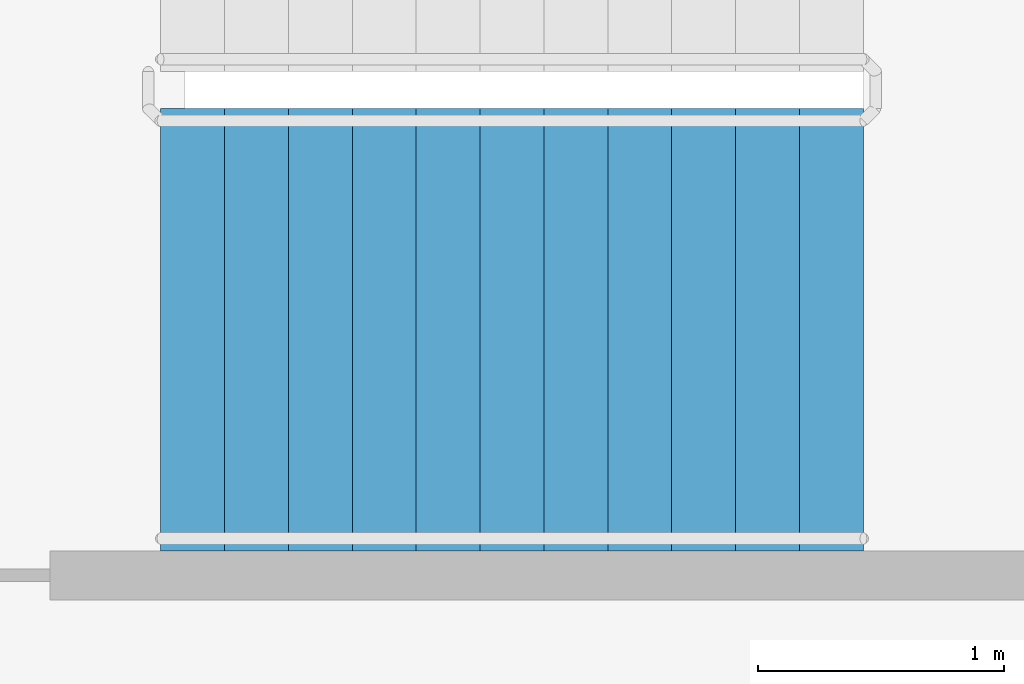
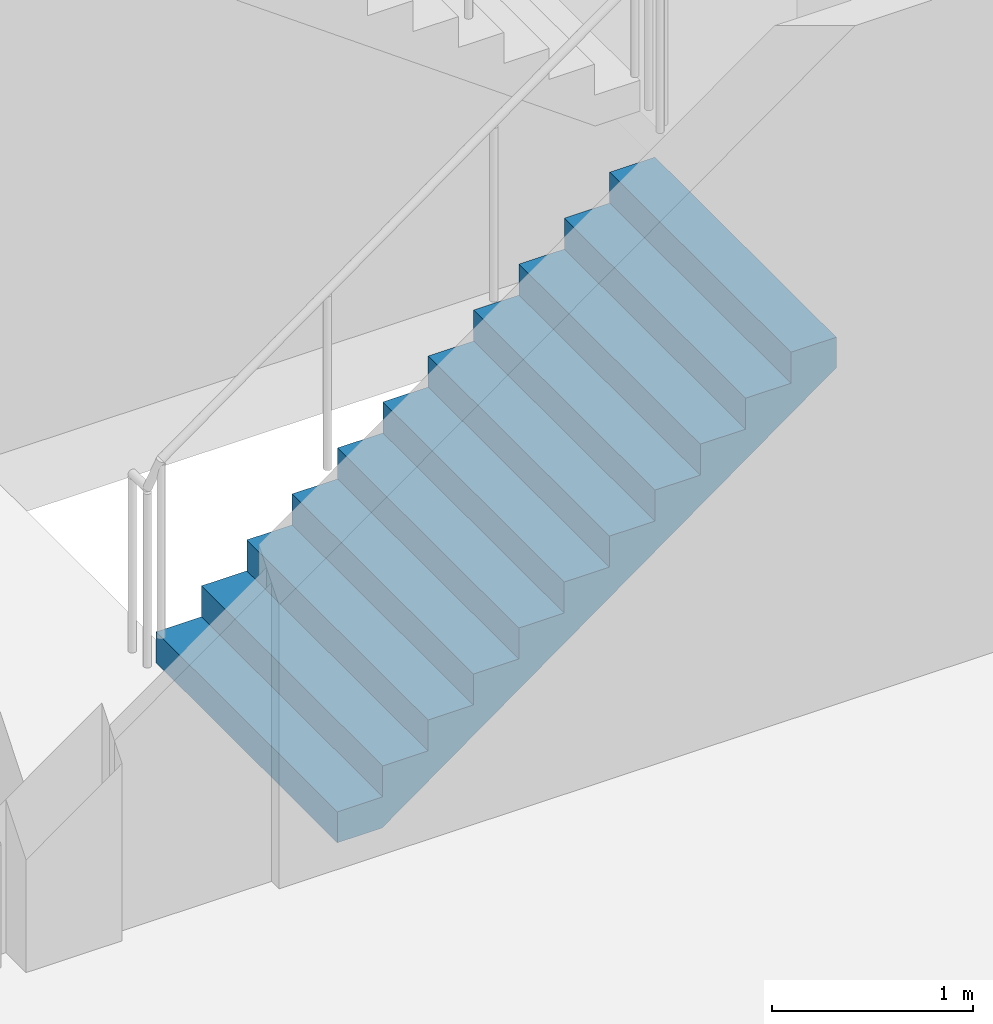
# One storey, part 26 of 49: 1 stair flight, 1 element without a shape of its own.
"""IFC4 building model written with IfcOpenShell, lengths in metres."""

from ifc_helpers import new_model, si_unit, direction, frame, origin, place, context, subcontext, project, spatial, faceted_brep, material, type_object, element, aggregate, save


model = new_model("IFC4")

# Units and contexts
model_context = context("Model", 3, precision=1e-05, world=origin(), true_north=direction((0.0, 1.0)))
body_context = subcontext(model_context, "Body", "Model", "MODEL_VIEW")
ifc_project = project(units=[si_unit("LENGTHUNIT", "METRE"), si_unit("AREAUNIT", "SQUARE_METRE"), si_unit("VOLUMEUNIT", "CUBIC_METRE"), si_unit("PLANEANGLEUNIT", "RADIAN"), si_unit("MASSUNIT", "GRAM", prefix="KILO")], contexts=[model_context])

# Site, building, storey
site_placement = place(None, origin())
site = spatial("IfcSite", under=ifc_project, at=site_placement, CompositionType="ELEMENT")
building_placement = place(site_placement, origin())
building = spatial("IfcBuilding", under=site, at=building_placement, Name="Ipe Terrace Towers", CompositionType="ELEMENT")
storey_placement = place(building_placement, frame((0.0, 0.0, 20.0)))
storey = spatial("IfcBuildingStorey", under=building, at=storey_placement, Name="L04", CompositionType="ELEMENT", Elevation=20.0)

# Stair, stair flight
ifc_material_1 = material(Name="Concrete C30/37", Category="concrete")
stair_type = type_object("IfcStairType", Name="Protected exit stair", PredefinedType="HALF_TURN_STAIR", material=ifc_material_1)
stair_placement = place(storey_placement, origin())
stair = element("IfcStair", 1, at=stair_placement, inside=storey, type_object=stair_type, Name="L04 Podium exit stair PS4", PredefinedType="HALF_TURN_STAIR")
ifc_material_2 = material(Name="Concrete C30/37", Category="concrete")
stair_flight_type = type_object("IfcStairFlightType", Name="Exit stair flight 1800", PredefinedType="STRAIGHT", material=ifc_material_2)
stair_flight_placement = place(storey_placement, frame((-57.27001953125, -22.5, 0.0), z_axis=(0.0, 0.0, 1.0), x_axis=(1.0, 0.0, 0.0)))
stair_flight = element("IfcStairFlight", 2, at=stair_flight_placement, type_object=stair_flight_type, Name="PS4 flight 1", NumberOfRisers=12, NumberOfTreads=11, PredefinedType="STRAIGHT", RiserHeight=0.1875, TreadLength=0.26, context=body_context, shape_type="Brep", body=[
    faceted_brep([(0.25634765625, -0.89990234375, 0.0), (2.860107421875, -0.89990234375, 1.877685546875), (2.860107421875, -0.89990234375, 2.0625), (2.60009765625, -0.89990234375, 2.0625), (2.60009765625, -0.89990234375, 1.875), (2.340087890625, -0.89990234375, 1.875), (2.340087890625, -0.89990234375, 1.6875), (2.080078125, -0.89990234375, 1.6875), (2.080078125, -0.89990234375, 1.5), (1.820068359375, -0.89990234375, 1.5), (1.820068359375, -0.89990234375, 1.3125), (1.56005859375, -0.89990234375, 1.3125), (1.56005859375, -0.89990234375, 1.125), (1.300048828125, -0.89990234375, 1.125), (1.300048828125, -0.89990234375, 0.9375), (1.0400390625, -0.89990234375, 0.9375), (1.0400390625, -0.89990234375, 0.75), (0.780029296875, -0.89990234375, 0.75), (0.780029296875, -0.89990234375, 0.5625), (0.52001953125, -0.89990234375, 0.5625), (0.52001953125, -0.89990234375, 0.375), (0.260009765625, -0.89990234375, 0.375), (0.260009765625, -0.89990234375, 0.1875), (0.0, -0.89990234375, 0.1875), (0.0, -0.89990234375, 0.0), (0.0, 0.89990234375, 0.0), (0.0, 0.89990234375, 0.1875), (0.260009765625, 0.89990234375, 0.1875), (0.260009765625, 0.89990234375, 0.375), (0.52001953125, 0.89990234375, 0.375), (0.52001953125, 0.89990234375, 0.5625), (0.780029296875, 0.89990234375, 0.5625), (0.780029296875, 0.89990234375, 0.75), (1.0400390625, 0.89990234375, 0.75), (1.0400390625, 0.89990234375, 0.9375), (1.300048828125, 0.89990234375, 0.9375), (1.300048828125, 0.89990234375, 1.125), (1.56005859375, 0.89990234375, 1.125), (1.56005859375, 0.89990234375, 1.3125), (1.820068359375, 0.89990234375, 1.3125), (1.820068359375, 0.89990234375, 1.5), (2.080078125, 0.89990234375, 1.5), (2.080078125, 0.89990234375, 1.6875), (2.340087890625, 0.89990234375, 1.6875), (2.340087890625, 0.89990234375, 1.875), (2.60009765625, 0.89990234375, 1.875), (2.60009765625, 0.89990234375, 2.0625), (2.860107421875, 0.89990234375, 2.0625), (2.860107421875, 0.89990234375, 1.877685546875), (0.25634765625, 0.89990234375, 0.0), (0.0, -0.300048828125, 0.1875), (0.0, -0.1201171875, 0.1875), (0.0, -0.06005859375, 0.1875), (0.0, -0.030029296875, 0.1875), (0.0, -0.010009765625, 0.1875), (0.0, 0.0, 0.1875), (0.0, 0.010009765625, 0.1875), (0.0, 0.030029296875, 0.1875), (0.0, 0.06005859375, 0.1875), (0.0, 0.1201171875, 0.1875), (0.0, 0.300048828125, 0.1875), (0.0, 0.300048828125, 0.0), (0.0, 0.1201171875, 0.0), (0.0, 0.06005859375, 0.0), (0.0, 0.030029296875, 0.0), (0.0, 0.010009765625, 0.0), (0.0, 0.0, 0.0), (0.0, -0.010009765625, 0.0), (0.0, -0.030029296875, 0.0), (0.0, -0.06005859375, 0.0), (0.0, -0.1201171875, 0.0), (0.0, -0.300048828125, 0.0), (0.260009765625, -0.300048828125, 0.1875), (0.260009765625, -0.1201171875, 0.1875), (0.260009765625, -0.06005859375, 0.1875), (0.260009765625, -0.030029296875, 0.1875), (0.260009765625, -0.010009765625, 0.1875), (0.260009765625, 0.0, 0.1875), (0.260009765625, 0.010009765625, 0.1875), (0.260009765625, 0.030029296875, 0.1875), (0.260009765625, 0.06005859375, 0.1875), (0.260009765625, 0.1201171875, 0.1875), (0.260009765625, 0.300048828125, 0.1875), (0.260009765625, -0.300048828125, 0.375), (0.260009765625, -0.1201171875, 0.375), (0.260009765625, -0.06005859375, 0.375), (0.260009765625, -0.030029296875, 0.375), (0.260009765625, -0.010009765625, 0.375), (0.260009765625, 0.0, 0.375), (0.260009765625, 0.010009765625, 0.375), (0.260009765625, 0.030029296875, 0.375), (0.260009765625, 0.06005859375, 0.375), (0.260009765625, 0.1201171875, 0.375), (0.260009765625, 0.300048828125, 0.375), (0.52001953125, -0.300048828125, 0.375), (0.52001953125, -0.1201171875, 0.375), (0.52001953125, -0.06005859375, 0.375), (0.52001953125, -0.030029296875, 0.375), (0.52001953125, -0.010009765625, 0.375), (0.52001953125, 0.0, 0.375), (0.52001953125, 0.010009765625, 0.375), (0.52001953125, 0.030029296875, 0.375), (0.52001953125, 0.06005859375, 0.375), (0.52001953125, 0.1201171875, 0.375), (0.52001953125, 0.300048828125, 0.375), (0.52001953125, -0.300048828125, 0.5625), (0.52001953125, -0.1201171875, 0.5625), (0.52001953125, -0.06005859375, 0.5625), (0.52001953125, -0.030029296875, 0.5625), (0.52001953125, -0.010009765625, 0.5625), (0.52001953125, 0.0, 0.5625), (0.52001953125, 0.010009765625, 0.5625), (0.52001953125, 0.030029296875, 0.5625), (0.52001953125, 0.06005859375, 0.5625), (0.52001953125, 0.1201171875, 0.5625), (0.52001953125, 0.300048828125, 0.5625), (0.780029296875, -0.300048828125, 0.5625), (0.780029296875, -0.1201171875, 0.5625), (0.780029296875, -0.06005859375, 0.5625), (0.780029296875, -0.030029296875, 0.5625), (0.780029296875, -0.010009765625, 0.5625), (0.780029296875, 0.0, 0.5625), (0.780029296875, 0.010009765625, 0.5625), (0.780029296875, 0.030029296875, 0.5625), (0.780029296875, 0.06005859375, 0.5625), (0.780029296875, 0.1201171875, 0.5625), (0.780029296875, 0.300048828125, 0.5625), (0.780029296875, -0.300048828125, 0.75), (0.780029296875, -0.1201171875, 0.75), (0.780029296875, -0.06005859375, 0.75), (0.780029296875, -0.030029296875, 0.75), (0.780029296875, -0.010009765625, 0.75), (0.780029296875, 0.0, 0.75), (0.780029296875, 0.010009765625, 0.75), (0.780029296875, 0.030029296875, 0.75), (0.780029296875, 0.06005859375, 0.75), (0.780029296875, 0.1201171875, 0.75), (0.780029296875, 0.300048828125, 0.75), (1.0400390625, -0.300048828125, 0.75), (1.0400390625, -0.1201171875, 0.75), (1.0400390625, -0.06005859375, 0.75), (1.0400390625, -0.030029296875, 0.75), (1.0400390625, -0.010009765625, 0.75), (1.0400390625, 0.0, 0.75), (1.0400390625, 0.010009765625, 0.75), (1.0400390625, 0.030029296875, 0.75), (1.0400390625, 0.06005859375, 0.75), (1.0400390625, 0.1201171875, 0.75), (1.0400390625, 0.300048828125, 0.75), (1.0400390625, -0.300048828125, 0.9375), (1.0400390625, -0.1201171875, 0.9375), (1.0400390625, -0.06005859375, 0.9375), (1.0400390625, -0.030029296875, 0.9375), (1.0400390625, -0.010009765625, 0.9375), (1.0400390625, 0.0, 0.9375), (1.0400390625, 0.010009765625, 0.9375), (1.0400390625, 0.030029296875, 0.9375), (1.0400390625, 0.06005859375, 0.9375), (1.0400390625, 0.1201171875, 0.9375), (1.0400390625, 0.300048828125, 0.9375), (1.300048828125, -0.300048828125, 0.9375), (1.300048828125, -0.1201171875, 0.9375), (1.300048828125, -0.06005859375, 0.9375), (1.300048828125, -0.030029296875, 0.9375), (1.300048828125, -0.010009765625, 0.9375), (1.300048828125, 0.0, 0.9375), (1.300048828125, 0.010009765625, 0.9375), (1.300048828125, 0.030029296875, 0.9375), (1.300048828125, 0.06005859375, 0.9375), (1.300048828125, 0.1201171875, 0.9375), (1.300048828125, 0.300048828125, 0.9375), (1.300048828125, -0.300048828125, 1.125), (1.300048828125, -0.1201171875, 1.125), (1.300048828125, -0.06005859375, 1.125), (1.300048828125, -0.030029296875, 1.125), (1.300048828125, -0.010009765625, 1.125), (1.300048828125, 0.0, 1.125), (1.300048828125, 0.010009765625, 1.125), (1.300048828125, 0.030029296875, 1.125), (1.300048828125, 0.06005859375, 1.125), (1.300048828125, 0.1201171875, 1.125), (1.300048828125, 0.300048828125, 1.125), (1.56005859375, -0.300048828125, 1.125), (1.56005859375, -0.1201171875, 1.125), (1.56005859375, -0.06005859375, 1.125), (1.56005859375, -0.030029296875, 1.125), (1.56005859375, -0.010009765625, 1.125), (1.56005859375, 0.0, 1.125), (1.56005859375, 0.010009765625, 1.125), (1.56005859375, 0.030029296875, 1.125), (1.56005859375, 0.06005859375, 1.125), (1.56005859375, 0.1201171875, 1.125), (1.56005859375, 0.300048828125, 1.125), (1.56005859375, -0.300048828125, 1.3125), (1.56005859375, -0.1201171875, 1.3125), (1.56005859375, -0.06005859375, 1.3125), (1.56005859375, -0.030029296875, 1.3125), (1.56005859375, -0.010009765625, 1.3125), (1.56005859375, 0.0, 1.3125), (1.56005859375, 0.010009765625, 1.3125), (1.56005859375, 0.030029296875, 1.3125), (1.56005859375, 0.06005859375, 1.3125), (1.56005859375, 0.1201171875, 1.3125), (1.56005859375, 0.300048828125, 1.3125), (1.820068359375, -0.300048828125, 1.3125), (1.820068359375, -0.1201171875, 1.3125), (1.820068359375, -0.06005859375, 1.3125), (1.820068359375, -0.030029296875, 1.3125), (1.820068359375, -0.010009765625, 1.3125), (1.820068359375, 0.0, 1.3125), (1.820068359375, 0.010009765625, 1.3125), (1.820068359375, 0.030029296875, 1.3125), (1.820068359375, 0.06005859375, 1.3125), (1.820068359375, 0.1201171875, 1.3125), (1.820068359375, 0.300048828125, 1.3125), (1.820068359375, -0.300048828125, 1.5), (1.820068359375, -0.1201171875, 1.5), (1.820068359375, -0.06005859375, 1.5), (1.820068359375, -0.030029296875, 1.5), (1.820068359375, -0.010009765625, 1.5), (1.820068359375, 0.0, 1.5), (1.820068359375, 0.010009765625, 1.5), (1.820068359375, 0.030029296875, 1.5), (1.820068359375, 0.06005859375, 1.5), (1.820068359375, 0.1201171875, 1.5), (1.820068359375, 0.300048828125, 1.5), (2.080078125, -0.300048828125, 1.5), (2.080078125, -0.1201171875, 1.5), (2.080078125, -0.06005859375, 1.5), (2.080078125, -0.030029296875, 1.5), (2.080078125, -0.010009765625, 1.5), (2.080078125, 0.0, 1.5), (2.080078125, 0.010009765625, 1.5), (2.080078125, 0.030029296875, 1.5), (2.080078125, 0.06005859375, 1.5), (2.080078125, 0.1201171875, 1.5), (2.080078125, 0.300048828125, 1.5), (2.080078125, -0.300048828125, 1.6875), (2.080078125, -0.1201171875, 1.6875), (2.080078125, -0.06005859375, 1.6875), (2.080078125, -0.030029296875, 1.6875), (2.080078125, -0.010009765625, 1.6875), (2.080078125, 0.0, 1.6875), (2.080078125, 0.010009765625, 1.6875), (2.080078125, 0.030029296875, 1.6875), (2.080078125, 0.06005859375, 1.6875), (2.080078125, 0.1201171875, 1.6875), (2.080078125, 0.300048828125, 1.6875), (2.340087890625, -0.300048828125, 1.6875), (2.340087890625, -0.1201171875, 1.6875), (2.340087890625, -0.06005859375, 1.6875), (2.340087890625, -0.030029296875, 1.6875), (2.340087890625, -0.010009765625, 1.6875), (2.340087890625, 0.0, 1.6875), (2.340087890625, 0.010009765625, 1.6875), (2.340087890625, 0.030029296875, 1.6875), (2.340087890625, 0.06005859375, 1.6875), (2.340087890625, 0.1201171875, 1.6875), (2.340087890625, 0.300048828125, 1.6875), (2.340087890625, -0.300048828125, 1.875), (2.340087890625, -0.1201171875, 1.875), (2.340087890625, -0.06005859375, 1.875), (2.340087890625, -0.030029296875, 1.875), (2.340087890625, -0.010009765625, 1.875), (2.340087890625, 0.0, 1.875), (2.340087890625, 0.010009765625, 1.875), (2.340087890625, 0.030029296875, 1.875), (2.340087890625, 0.06005859375, 1.875), (2.340087890625, 0.1201171875, 1.875), (2.340087890625, 0.300048828125, 1.875), (2.60009765625, -0.300048828125, 1.875), (2.60009765625, -0.1201171875, 1.875), (2.60009765625, -0.06005859375, 1.875), (2.60009765625, -0.030029296875, 1.875), (2.60009765625, -0.010009765625, 1.875), (2.60009765625, 0.0, 1.875), (2.60009765625, 0.010009765625, 1.875), (2.60009765625, 0.030029296875, 1.875), (2.60009765625, 0.06005859375, 1.875), (2.60009765625, 0.1201171875, 1.875), (2.60009765625, 0.300048828125, 1.875), (2.60009765625, -0.300048828125, 2.0625), (2.60009765625, -0.1201171875, 2.0625), (2.60009765625, -0.06005859375, 2.0625), (2.60009765625, -0.030029296875, 2.0625), (2.60009765625, -0.010009765625, 2.0625), (2.60009765625, 0.0, 2.0625), (2.60009765625, 0.010009765625, 2.0625), (2.60009765625, 0.030029296875, 2.0625), (2.60009765625, 0.06005859375, 2.0625), (2.60009765625, 0.1201171875, 2.0625), (2.60009765625, 0.300048828125, 2.0625), (2.860107421875, -0.300048828125, 2.0625), (2.860107421875, -0.1201171875, 2.0625), (2.860107421875, -0.06005859375, 2.0625), (2.860107421875, -0.030029296875, 2.0625), (2.860107421875, -0.010009765625, 2.0625), (2.860107421875, 0.0, 2.0625), (2.860107421875, 0.010009765625, 2.0625), (2.860107421875, 0.030029296875, 2.0625), (2.860107421875, 0.06005859375, 2.0625), (2.860107421875, 0.1201171875, 2.0625), (2.860107421875, 0.300048828125, 2.0625), (2.860107421875, -0.300048828125, 1.877685546875), (2.860107421875, -0.1201171875, 1.877685546875), (2.860107421875, -0.06005859375, 1.877685546875), (2.860107421875, -0.030029296875, 1.877685546875), (2.860107421875, -0.010009765625, 1.877685546875), (2.860107421875, 0.0, 1.877685546875), (2.860107421875, 0.010009765625, 1.877685546875), (2.860107421875, 0.030029296875, 1.877685546875), (2.860107421875, 0.06005859375, 1.877685546875), (2.860107421875, 0.1201171875, 1.877685546875), (2.860107421875, 0.300048828125, 1.877685546875), (0.25634765625, -0.300048828125, 0.0), (0.25634765625, -0.1201171875, 0.0), (0.25634765625, -0.06005859375, 0.0), (0.25634765625, -0.030029296875, 0.0), (0.25634765625, -0.010009765625, 0.0), (0.25634765625, 0.0, 0.0), (0.25634765625, 0.010009765625, 0.0), (0.25634765625, 0.030029296875, 0.0), (0.25634765625, 0.06005859375, 0.0), (0.25634765625, 0.1201171875, 0.0), (0.25634765625, 0.300048828125, 0.0)], [[[0, 1, 2, 3, 4, 5, 6, 7, 8, 9, 10, 11, 12, 13, 14, 15, 16, 17, 18, 19, 20, 21, 22, 23, 24]], [[25, 26, 27, 28, 29, 30, 31, 32, 33, 34, 35, 36, 37, 38, 39, 40, 41, 42, 43, 44, 45, 46, 47, 48, 49]], [[23, 50, 51, 52, 53, 54, 55, 56, 57, 58, 59, 60, 26, 25, 61, 62, 63, 64, 65, 66, 67, 68, 69, 70, 71, 24]], [[22, 72, 73, 74, 75, 76, 77, 78, 79, 80, 81, 82, 27, 26, 60, 59, 58, 57, 56, 55, 54, 53, 52, 51, 50, 23]], [[21, 83, 84, 85, 86, 87, 88, 89, 90, 91, 92, 93, 28, 27, 82, 81, 80, 79, 78, 77, 76, 75, 74, 73, 72, 22]], [[20, 94, 95, 96, 97, 98, 99, 100, 101, 102, 103, 104, 29, 28, 93, 92, 91, 90, 89, 88, 87, 86, 85, 84, 83, 21]], [[19, 105, 106, 107, 108, 109, 110, 111, 112, 113, 114, 115, 30, 29, 104, 103, 102, 101, 100, 99, 98, 97, 96, 95, 94, 20]], [[18, 116, 117, 118, 119, 120, 121, 122, 123, 124, 125, 126, 31, 30, 115, 114, 113, 112, 111, 110, 109, 108, 107, 106, 105, 19]], [[17, 127, 128, 129, 130, 131, 132, 133, 134, 135, 136, 137, 32, 31, 126, 125, 124, 123, 122, 121, 120, 119, 118, 117, 116, 18]], [[16, 138, 139, 140, 141, 142, 143, 144, 145, 146, 147, 148, 33, 32, 137, 136, 135, 134, 133, 132, 131, 130, 129, 128, 127, 17]], [[15, 149, 150, 151, 152, 153, 154, 155, 156, 157, 158, 159, 34, 33, 148, 147, 146, 145, 144, 143, 142, 141, 140, 139, 138, 16]], [[14, 160, 161, 162, 163, 164, 165, 166, 167, 168, 169, 170, 35, 34, 159, 158, 157, 156, 155, 154, 153, 152, 151, 150, 149, 15]], [[13, 171, 172, 173, 174, 175, 176, 177, 178, 179, 180, 181, 36, 35, 170, 169, 168, 167, 166, 165, 164, 163, 162, 161, 160, 14]], [[12, 182, 183, 184, 185, 186, 187, 188, 189, 190, 191, 192, 37, 36, 181, 180, 179, 178, 177, 176, 175, 174, 173, 172, 171, 13]], [[11, 193, 194, 195, 196, 197, 198, 199, 200, 201, 202, 203, 38, 37, 192, 191, 190, 189, 188, 187, 186, 185, 184, 183, 182, 12]], [[10, 204, 205, 206, 207, 208, 209, 210, 211, 212, 213, 214, 39, 38, 203, 202, 201, 200, 199, 198, 197, 196, 195, 194, 193, 11]], [[9, 215, 216, 217, 218, 219, 220, 221, 222, 223, 224, 225, 40, 39, 214, 213, 212, 211, 210, 209, 208, 207, 206, 205, 204, 10]], [[8, 226, 227, 228, 229, 230, 231, 232, 233, 234, 235, 236, 41, 40, 225, 224, 223, 222, 221, 220, 219, 218, 217, 216, 215, 9]], [[7, 237, 238, 239, 240, 241, 242, 243, 244, 245, 246, 247, 42, 41, 236, 235, 234, 233, 232, 231, 230, 229, 228, 227, 226, 8]], [[6, 248, 249, 250, 251, 252, 253, 254, 255, 256, 257, 258, 43, 42, 247, 246, 245, 244, 243, 242, 241, 240, 239, 238, 237, 7]], [[5, 259, 260, 261, 262, 263, 264, 265, 266, 267, 268, 269, 44, 43, 258, 257, 256, 255, 254, 253, 252, 251, 250, 249, 248, 6]], [[4, 270, 271, 272, 273, 274, 275, 276, 277, 278, 279, 280, 45, 44, 269, 268, 267, 266, 265, 264, 263, 262, 261, 260, 259, 5]], [[3, 281, 282, 283, 284, 285, 286, 287, 288, 289, 290, 291, 46, 45, 280, 279, 278, 277, 276, 275, 274, 273, 272, 271, 270, 4]], [[2, 292, 293, 294, 295, 296, 297, 298, 299, 300, 301, 302, 47, 46, 291, 290, 289, 288, 287, 286, 285, 284, 283, 282, 281, 3]], [[1, 303, 304, 305, 306, 307, 308, 309, 310, 311, 312, 313, 48, 47, 302, 301, 300, 299, 298, 297, 296, 295, 294, 293, 292, 2]], [[0, 314, 315, 316, 317, 318, 319, 320, 321, 322, 323, 324, 49, 48, 313, 312, 311, 310, 309, 308, 307, 306, 305, 304, 303, 1]], [[24, 71, 70, 69, 68, 67, 66, 65, 64, 63, 62, 61, 25, 49, 324, 323, 322, 321, 320, 319, 318, 317, 316, 315, 314, 0]]]),
])
aggregate(stair, [stair_flight])

save(model, "model.ifc")
